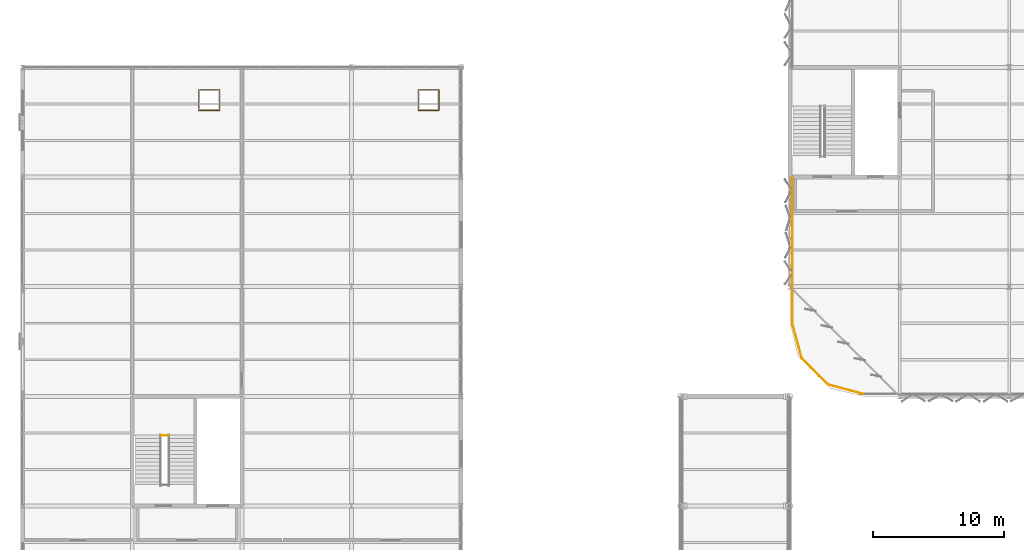
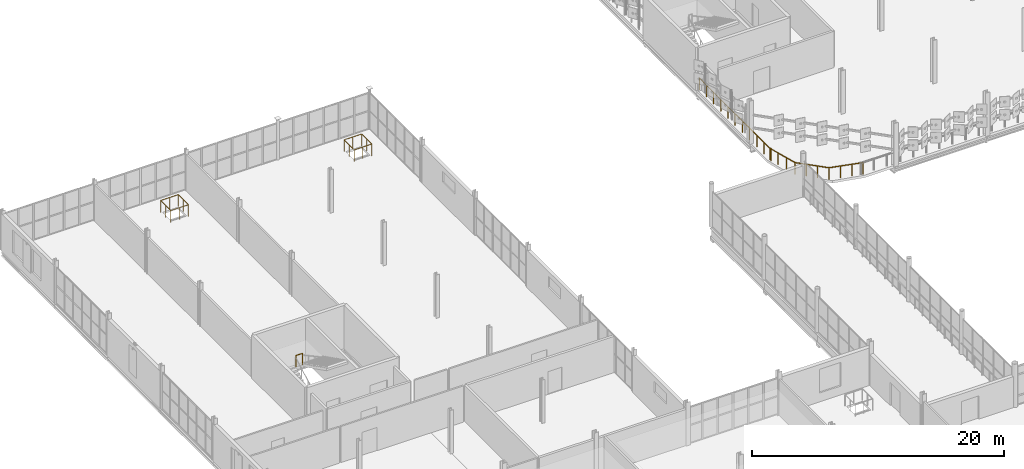
# One storey, part 157 of 163: 5 railings.
"""IFC4 building model written with IfcOpenShell, lengths in metres."""

from ifc_helpers import new_model, si_unit, direction, frame, origin, origin_2d, place, context, subcontext, project, spatial, circle, extrude, material, type_object, element, save


model = new_model("IFC4")

# Units and contexts
model_context = context("Model", 3, precision=1e-05, world=origin(), true_north=direction((0.0, 1.0)))
body_context = subcontext(model_context, "Body", "Model", "MODEL_VIEW")
ifc_project = project(units=[si_unit("LENGTHUNIT", "METRE"), si_unit("AREAUNIT", "SQUARE_METRE"), si_unit("VOLUMEUNIT", "CUBIC_METRE"), si_unit("PLANEANGLEUNIT", "RADIAN"), si_unit("MASSUNIT", "GRAM", prefix="KILO")], contexts=[model_context])

# Site, building, storey
site_placement = place(None, origin())
site = spatial("IfcSite", under=ifc_project, at=site_placement, CompositionType="ELEMENT")
building_placement = place(site_placement, origin())
building = spatial("IfcBuilding", under=site, at=building_placement, Name="Qalvenar Corner Mobility Hub", CompositionType="ELEMENT")
storey_placement = place(building_placement, frame((0.0, 0.0, 4.800048828125)))
storey = spatial("IfcBuildingStorey", under=building, at=storey_placement, Name="L01", CompositionType="ELEMENT", Elevation=4.800048828125)

# Railings
ifc_material_1 = material(Name="Art Nouveau Bronze-Finished Steel Balustrade", Category="steel")
railing_type_1 = type_object("IfcRailingType", Name="RL-GUARD-110", PredefinedType="GUARDRAIL", material=ifc_material_1)
railing_1_placement = place(storey_placement, frame((10.590087890625, 64.199951171875, 2.099853515625)))
element("IfcRailing", 1, at=railing_1_placement, inside=storey, type_object=railing_type_1, Name="Stair Half-Landing Well Guard ST5-L01", PredefinedType="GUARDRAIL", context=body_context, shape_type="SweptSolid", body=[
    extrude(circle(Radius=0.02392578125, at=origin_2d()), frame((0.0, 0.0, 1.09619140625), z_axis=(1.0, 0.0, 0.0), x_axis=(0.0, 1.0, 0.0)), (0.0, 0.0, 1.0), 0.599853515625),
    extrude(circle(Radius=0.02099609375, at=origin_2d()), origin(), (0.0, 0.0, 1.0), 1.072021484375),
    extrude(circle(Radius=0.02099609375, at=origin_2d()), frame((0.599853515625, 0.0, 0.0)), (0.0, 0.0, 1.0), 1.072021484375),
])
ifc_material_2 = material(Name="Galvanised Steel Deck Edge Barrier", Category="steel")
railing_type_2 = type_object("IfcRailingType", Name="RL-GUARD-115", PredefinedType="GUARDRAIL", material=ifc_material_2)
railing_2_placement = place(storey_placement, frame((13.5, 89.10009765625, 0.0)))
element("IfcRailing", 2, at=railing_2_placement, inside=storey, type_object=railing_type_2, Name="Riser Opening Guard V5-A-L01", PredefinedType="GUARDRAIL", context=body_context, shape_type="SweptSolid", body=[
    extrude(circle(Radius=0.02392578125, at=origin_2d()), frame((0.0, 0.0, 1.1259765625), z_axis=(1.0, 0.0, 0.0), x_axis=(0.0, 1.0, 0.0)), (0.0, 0.0, 1.0), 1.60009765625),
    extrude(circle(Radius=0.02392578125, at=origin_2d()), frame((1.60009765625, 0.0, 1.1259765625), z_axis=(0.0, 1.0, 0.0), x_axis=(-1.0, 0.0, 0.0)), (0.0, 0.0, 1.0), 1.599853515625),
    extrude(circle(Radius=0.02392578125, at=origin_2d()), frame((1.60009765625, 1.599853515625, 1.1259765625), z_axis=(-1.0, 0.0, 0.0), x_axis=(0.0, -1.0, 0.0)), (0.0, 0.0, 1.0), 1.60009765625),
    extrude(circle(Radius=0.02392578125, at=origin_2d()), frame((0.0, 1.599853515625, 1.1259765625), z_axis=(0.0, -1.0, 0.0), x_axis=(1.0, 0.0, 0.0)), (0.0, 0.0, 1.0), 1.599853515625),
    extrude(circle(Radius=0.02099609375, at=origin_2d()), origin(), (0.0, 0.0, 1.0), 1.101806640625),
    extrude(circle(Radius=0.02099609375, at=origin_2d()), frame((0.800048828125, 0.0, 0.0)), (0.0, 0.0, 1.0), 1.101806640625),
    extrude(circle(Radius=0.02099609375, at=origin_2d()), frame((1.60009765625, 0.0, 0.0)), (0.0, 0.0, 1.0), 1.101806640625),
    extrude(circle(Radius=0.02099609375, at=origin_2d()), frame((1.60009765625, 0.7998046875, 0.0)), (0.0, 0.0, 1.0), 1.101806640625),
    extrude(circle(Radius=0.02099609375, at=origin_2d()), frame((1.60009765625, 1.599853515625, 0.0)), (0.0, 0.0, 1.0), 1.101806640625),
    extrude(circle(Radius=0.02099609375, at=origin_2d()), frame((0.800048828125, 1.599853515625, 0.0)), (0.0, 0.0, 1.0), 1.101806640625),
    extrude(circle(Radius=0.02099609375, at=origin_2d()), frame((0.0, 1.599853515625, 0.0)), (0.0, 0.0, 1.0), 1.101806640625),
    extrude(circle(Radius=0.02099609375, at=origin_2d()), frame((0.0, 0.7998046875, 0.0)), (0.0, 0.0, 1.0), 1.101806640625),
])
railing_3_placement = place(storey_placement, frame((30.300048828125, 89.10009765625, 0.0)))
element("IfcRailing", 3, at=railing_3_placement, inside=storey, type_object=railing_type_2, Name="Riser Opening Guard V5-B-L01", PredefinedType="GUARDRAIL", context=body_context, shape_type="SweptSolid", body=[
    extrude(circle(Radius=0.02392578125, at=origin_2d()), frame((0.0, 0.0, 1.1259765625), z_axis=(1.0, 0.0, 0.0), x_axis=(0.0, 1.0, 0.0)), (0.0, 0.0, 1.0), 1.599853515625),
    extrude(circle(Radius=0.02392578125, at=origin_2d()), frame((1.599853515625, 0.0, 1.1259765625), z_axis=(0.0, 1.0, 0.0), x_axis=(-1.0, 0.0, 0.0)), (0.0, 0.0, 1.0), 1.599853515625),
    extrude(circle(Radius=0.02392578125, at=origin_2d()), frame((1.599853515625, 1.599853515625, 1.1259765625), z_axis=(-1.0, 0.0, 0.0), x_axis=(0.0, -1.0, 0.0)), (0.0, 0.0, 1.0), 1.599853515625),
    extrude(circle(Radius=0.02392578125, at=origin_2d()), frame((0.0, 1.599853515625, 1.1259765625), z_axis=(0.0, -1.0, 0.0), x_axis=(1.0, 0.0, 0.0)), (0.0, 0.0, 1.0), 1.599853515625),
    extrude(circle(Radius=0.02099609375, at=origin_2d()), origin(), (0.0, 0.0, 1.0), 1.101806640625),
    extrude(circle(Radius=0.02099609375, at=origin_2d()), frame((0.7998046875, 0.0, 0.0)), (0.0, 0.0, 1.0), 1.101806640625),
    extrude(circle(Radius=0.02099609375, at=origin_2d()), frame((1.599853515625, 0.0, 0.0)), (0.0, 0.0, 1.0), 1.101806640625),
    extrude(circle(Radius=0.02099609375, at=origin_2d()), frame((1.599853515625, 0.7998046875, 0.0)), (0.0, 0.0, 1.0), 1.101806640625),
    extrude(circle(Radius=0.02099609375, at=origin_2d()), frame((1.599853515625, 1.599853515625, 0.0)), (0.0, 0.0, 1.0), 1.101806640625),
    extrude(circle(Radius=0.02099609375, at=origin_2d()), frame((0.7998046875, 1.599853515625, 0.0)), (0.0, 0.0, 1.0), 1.101806640625),
    extrude(circle(Radius=0.02099609375, at=origin_2d()), frame((0.0, 1.599853515625, 0.0)), (0.0, 0.0, 1.0), 1.101806640625),
    extrude(circle(Radius=0.02099609375, at=origin_2d()), frame((0.0, 0.7998046875, 0.0)), (0.0, 0.0, 1.0), 1.101806640625),
])
railing_4_placement = place(storey_placement, frame((58.97998046875, 84.0, 0.0)))
element("IfcRailing", 4, at=railing_4_placement, inside=storey, type_object=railing_type_2, Name="Parking Deck West-South Barrier L01", PredefinedType="GUARDRAIL", context=body_context, shape_type="SweptSolid", body=[
    extrude(circle(Radius=0.02392578125, at=origin_2d()), frame((0.0, 0.0, 1.1259765625), z_axis=(0.0, -1.0, 0.0), x_axis=(1.0, 0.0, 0.0)), (0.0, 0.0, 1.0), 11.39990234375),
    extrude(circle(Radius=0.02099609375, at=origin_2d()), origin(), (0.0, 0.0, 1.0), 1.101806640625),
    extrude(circle(Radius=0.02099609375, at=origin_2d()), frame((0.0, -1.139892578125, 0.0)), (0.0, 0.0, 1.0), 1.101806640625),
    extrude(circle(Radius=0.02099609375, at=origin_2d()), frame((0.0, -2.280029296875, 0.0)), (0.0, 0.0, 1.0), 1.101806640625),
    extrude(circle(Radius=0.02099609375, at=origin_2d()), frame((0.0, -3.419921875, 0.0)), (0.0, 0.0, 1.0), 1.101806640625),
    extrude(circle(Radius=0.02099609375, at=origin_2d()), frame((0.0, -4.56005859375, 0.0)), (0.0, 0.0, 1.0), 1.101806640625),
    extrude(circle(Radius=0.02099609375, at=origin_2d()), frame((0.0, -5.699951171875, 0.0)), (0.0, 0.0, 1.0), 1.101806640625),
    extrude(circle(Radius=0.02099609375, at=origin_2d()), frame((0.0, -6.83984375, 0.0)), (0.0, 0.0, 1.0), 1.101806640625),
    extrude(circle(Radius=0.02099609375, at=origin_2d()), frame((0.0, -7.97998046875, 0.0)), (0.0, 0.0, 1.0), 1.101806640625),
    extrude(circle(Radius=0.02099609375, at=origin_2d()), frame((0.0, -9.119873046875, 0.0)), (0.0, 0.0, 1.0), 1.101806640625),
    extrude(circle(Radius=0.02099609375, at=origin_2d()), frame((0.0, -10.260009765625, 0.0)), (0.0, 0.0, 1.0), 1.101806640625),
    extrude(circle(Radius=0.02099609375, at=origin_2d()), frame((0.0, -11.39990234375, 0.0)), (0.0, 0.0, 1.0), 1.101806640625),
])
railing_5_placement = place(storey_placement, frame((58.97998046875, 72.800048828125, 0.0)))
element("IfcRailing", 5, at=railing_5_placement, inside=storey, type_object=railing_type_2, Name="Rounded Corner Barrier L01-SW", PredefinedType="GUARDRAIL", context=body_context, shape_type="SweptSolid", body=[
    extrude(circle(Radius=0.02392578125, at=origin_2d()), frame((0.0, 0.0, 1.1259765625), z_axis=(0.258799880931, -0.965930961109, 0.0), x_axis=(0.965930961109, 0.258799880931, 0.0)), (0.0, 0.0, 1.0), 2.8056640625),
    extrude(circle(Radius=0.02392578125, at=origin_2d()), frame((0.72607421875, -2.7099609375, 1.1259765625), z_axis=(0.707106781187, -0.707106781187, 0.0), x_axis=(0.707106781187, 0.707106781187, 0.0)), (0.0, 0.0, 1.0), 2.8056640625),
    extrude(circle(Radius=0.02392578125, at=origin_2d()), frame((2.7099609375, -4.69384765625, 1.1259765625), z_axis=(0.965909204481, -0.25888107057, 0.0), x_axis=(0.25888107057, 0.965909204481, 0.0)), (0.0, 0.0, 1.0), 2.8056640625),
    extrude(circle(Radius=0.02099609375, at=origin_2d()), origin(), (0.0, 0.0, 1.0), 1.101806640625),
    extrude(circle(Radius=0.02099609375, at=origin_2d()), frame((0.241943359375, -0.9033203125, 0.0)), (0.0, 0.0, 1.0), 1.101806640625),
    extrude(circle(Radius=0.02099609375, at=origin_2d()), frame((0.484130859375, -1.806640625, 0.0)), (0.0, 0.0, 1.0), 1.101806640625),
    extrude(circle(Radius=0.02099609375, at=origin_2d()), frame((0.72607421875, -2.7099609375, 0.0)), (0.0, 0.0, 1.0), 1.101806640625),
    extrude(circle(Radius=0.02099609375, at=origin_2d()), frame((1.387451171875, -3.371337890625, 0.0)), (0.0, 0.0, 1.0), 1.101806640625),
    extrude(circle(Radius=0.02099609375, at=origin_2d()), frame((2.048583984375, -4.032470703125, 0.0)), (0.0, 0.0, 1.0), 1.101806640625),
    extrude(circle(Radius=0.02099609375, at=origin_2d()), frame((2.7099609375, -4.69384765625, 0.0)), (0.0, 0.0, 1.0), 1.101806640625),
    extrude(circle(Radius=0.02099609375, at=origin_2d()), frame((3.61328125, -4.93603515625, 0.0)), (0.0, 0.0, 1.0), 1.101806640625),
    extrude(circle(Radius=0.02099609375, at=origin_2d()), frame((4.5166015625, -5.177978515625, 0.0)), (0.0, 0.0, 1.0), 1.101806640625),
    extrude(circle(Radius=0.02099609375, at=origin_2d()), frame((5.419921875, -5.420166015625, 0.0)), (0.0, 0.0, 1.0), 1.101806640625),
])

save(model, "model.ifc")
